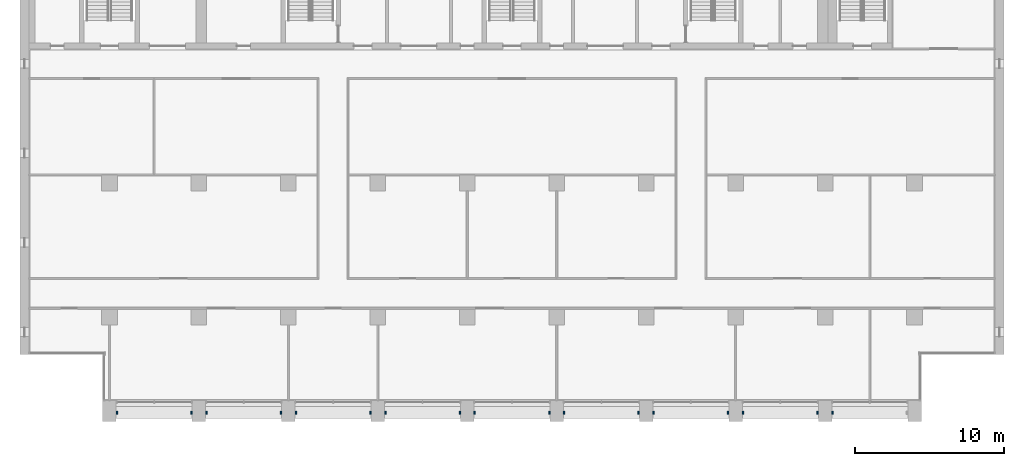
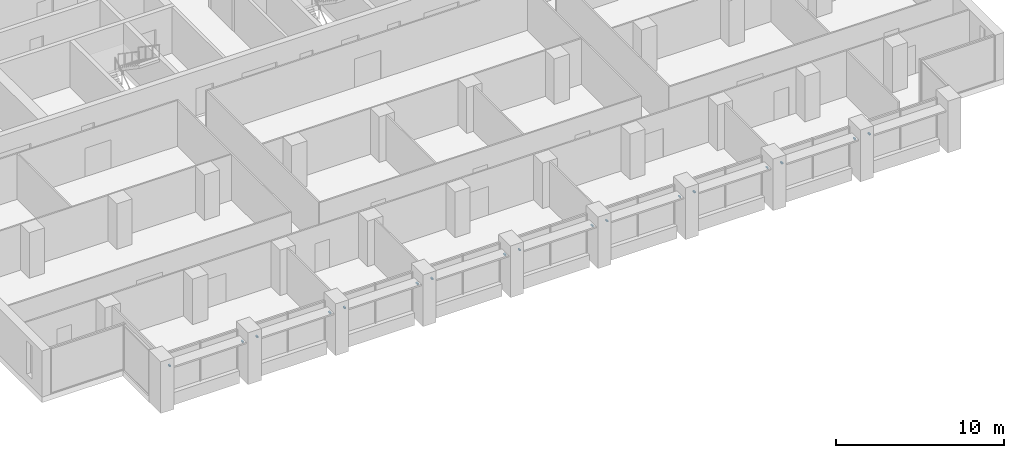
# One storey, part 14 of 17: 17 discrete accessories.
"""IFC4 building model written with IfcOpenShell, lengths in metres."""

from ifc_helpers import new_model, si_unit, direction, frame, origin, origin_2d, place, context, subcontext, project, spatial, rectangle, extrude, element, save


model = new_model("IFC4")

# Units and contexts
model_context = context("Model", 3, precision=1e-05, world=origin(), true_north=direction((0.0, 1.0)))
body_context = subcontext(model_context, "Body", "Model", "MODEL_VIEW")
ifc_project = project(units=[si_unit("LENGTHUNIT", "METRE"), si_unit("AREAUNIT", "SQUARE_METRE"), si_unit("VOLUMEUNIT", "CUBIC_METRE"), si_unit("PLANEANGLEUNIT", "RADIAN"), si_unit("MASSUNIT", "GRAM", prefix="KILO")], contexts=[model_context])

# Site, building, storey
site_placement = place(None, origin())
site = spatial("IfcSite", under=ifc_project, at=site_placement, CompositionType="ELEMENT")
building_placement = place(site_placement, origin())
building = spatial("IfcBuilding", under=site, at=building_placement, Name="Calvaro Tower", CompositionType="ELEMENT")
storey_placement = place(building_placement, frame((0.0, 0.0, 200.5)))
storey = spatial("IfcBuildingStorey", under=building, at=storey_placement, Name="L50", CompositionType="ELEMENT", Elevation=200.5)

# Discrete accessories
for number, where, z_axis, x_axis, name in (
    (1, (12.5, 3.60009765625, 2.349853515625), (0.0, 0.0, 1.0), (1.0, 0.0, 0.0), "Brise-soleil bracket"),
    (2, (17.5, 3.60009765625, 2.349853515625), (0.0, 0.0, 1.0), (1.0, 0.0, 0.0), "Brise-soleil bracket"),
    (3, (18.5, 3.60009765625, 2.349853515625), (0.0, 0.0, 1.0), (1.0, 0.0, 0.0), "Brise-soleil bracket"),
    (4, (23.5, 3.60009765625, 2.349853515625), (0.0, 0.0, 1.0), (1.0, 0.0, 0.0), "Brise-soleil bracket"),
    (5, (24.5, 3.60009765625, 2.349853515625), (0.0, 0.0, 1.0), (1.0, 0.0, 0.0), "Brise-soleil bracket"),
    (6, (29.5, 3.60009765625, 2.349853515625), (0.0, 0.0, 1.0), (1.0, 0.0, 0.0), "Brise-soleil bracket"),
    (7, (30.5, 3.60009765625, 2.349853515625), (0.0, 0.0, 1.0), (1.0, 0.0, 0.0), "Brise-soleil bracket"),
    (8, (35.5, 3.60009765625, 2.349853515625), (0.0, 0.0, 1.0), (1.0, 0.0, 0.0), "Brise-soleil bracket"),
    (9, (36.5, 3.60009765625, 2.349853515625), (0.0, 0.0, 1.0), (1.0, 0.0, 0.0), "Brise-soleil bracket"),
    (10, (41.5, 3.60009765625, 2.349853515625), (0.0, 0.0, 1.0), (1.0, 0.0, 0.0), "Brise-soleil bracket"),
    (11, (42.5, 3.60009765625, 2.349853515625), (0.0, 0.0, 1.0), (1.0, 0.0, 0.0), "Brise-soleil bracket"),
    (12, (47.5, 3.60009765625, 2.349853515625), (0.0, 0.0, 1.0), (1.0, 0.0, 0.0), "Brise-soleil bracket"),
    (13, (48.5, 3.60009765625, 2.349853515625), (0.0, 0.0, 1.0), (1.0, 0.0, 0.0), "Brise-soleil bracket"),
    (14, (53.5, 3.60009765625, 2.349853515625), (0.0, 0.0, 1.0), (1.0, 0.0, 0.0), "Brise-soleil bracket"),
    (15, (54.5, 3.60009765625, 2.349853515625), (0.0, 0.0, 1.0), (1.0, 0.0, 0.0), "Brise-soleil bracket"),
    (16, (59.5, 3.60009765625, 2.349853515625), (0.0, 0.0, 1.0), (1.0, 0.0, 0.0), "Brise-soleil bracket"),
    (17, (60.5, 3.60009765625, 2.349853515625), (0.0, 0.0, 1.0), (1.0, 0.0, 0.0), "Brise-soleil bracket"),
):
    element("IfcDiscreteAccessory", number, at=place(storey_placement, frame(where, z_axis=z_axis, x_axis=x_axis)), inside=storey, Name=name, PredefinedType="BRACKET", context=body_context, shape_type="SweptSolid", body=[
        extrude(rectangle(XDim=0.10009765625, YDim=0.199951171875, at=origin_2d()), origin(), (0.0, 0.0, 1.0), 0.10009765625),
    ])

save(model, "model.ifc")
